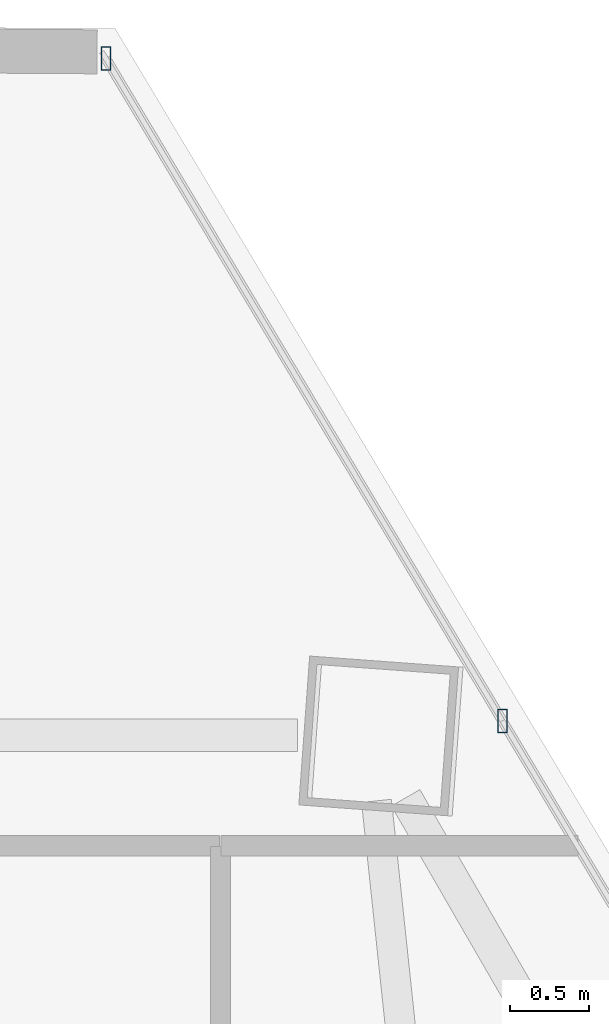
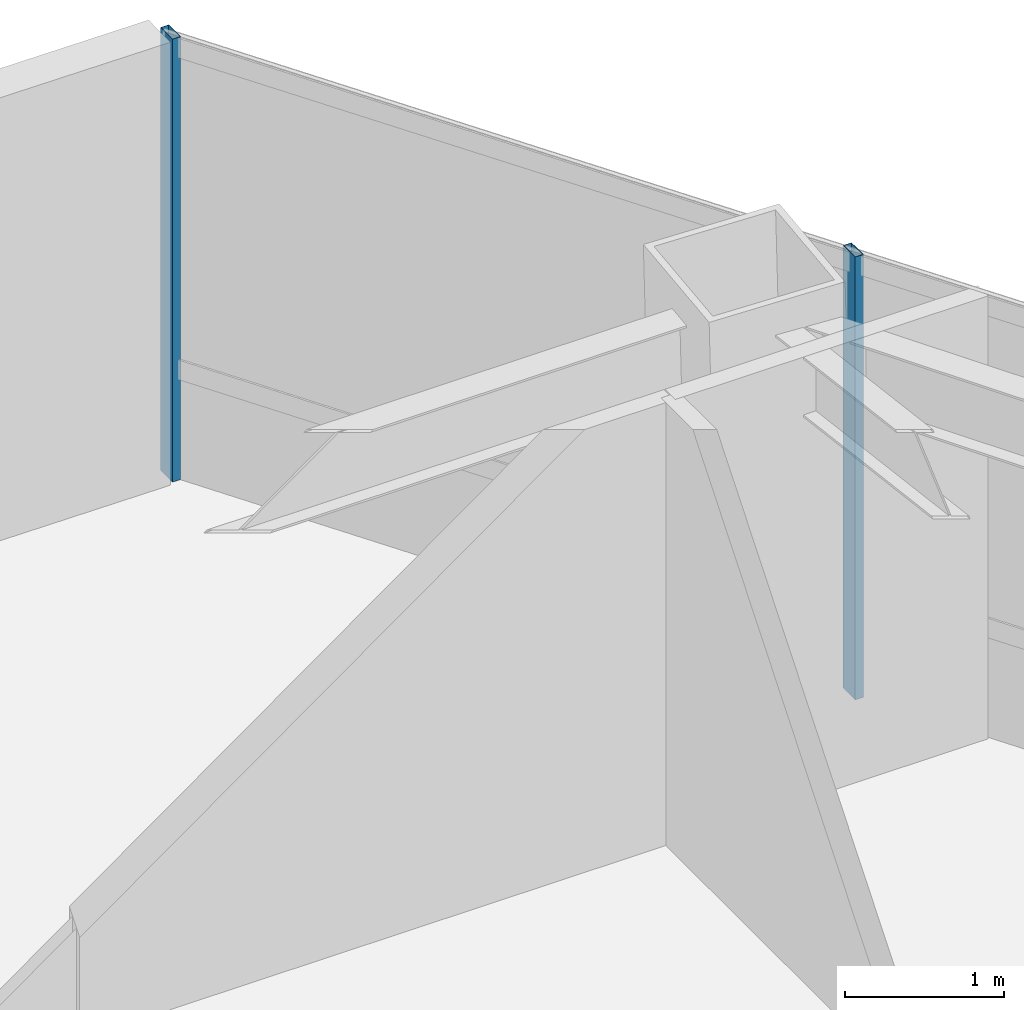
# One storey, part 31 of 41: 2 members, 1 element without a shape of its own.
"""IFC4 building model written with IfcOpenShell, lengths in metres."""

from ifc_helpers import new_model, si_unit, direction, frame, origin, origin_2d, place, context, subcontext, project, spatial, hollow_rectangle, extrude, source, transform, mapped, material, material_profile, profile_set, type_object, type_shapes, element, aggregate, save


model = new_model("IFC4")

# Units and contexts
model_context = context("Model", 3, precision=1e-05, world=origin(), true_north=direction((0.0, 1.0)))
body_context = subcontext(model_context, "Body", "Model", "MODEL_VIEW")
ifc_project = project(units=[si_unit("LENGTHUNIT", "METRE"), si_unit("AREAUNIT", "SQUARE_METRE"), si_unit("VOLUMEUNIT", "CUBIC_METRE"), si_unit("PLANEANGLEUNIT", "RADIAN"), si_unit("MASSUNIT", "GRAM", prefix="KILO")], contexts=[model_context])

# Site, building, storey
site_placement = place(None, origin())
site = spatial("IfcSite", under=ifc_project, at=site_placement, CompositionType="ELEMENT")
building_placement = place(site_placement, origin())
building = spatial("IfcBuilding", under=site, at=building_placement, Name="Caelisora Broadcast Tower", CompositionType="ELEMENT")
storey_placement = place(building_placement, frame((0.0, 0.0, 173.10009765625)))
storey = spatial("IfcBuildingStorey", under=building, at=storey_placement, Name="L45", CompositionType="ELEMENT", Elevation=173.10009765625)

# Curtain wall, members
ifc_material_1 = material(Name="Unitised Aluminium and Low-E Glass Curtain Wall", Category="glass")
curtain_wall_type = type_object("IfcCurtainWallType", Name="CW-Z3", PredefinedType="NOTDEFINED", material=ifc_material_1)
curtain_wall_placement = place(storey_placement, origin())
curtain_wall = element("IfcCurtainWall", 1, at=curtain_wall_placement, inside=storey, type_object=curtain_wall_type, Name="L45 curtain wall CW-Z3", PredefinedType="NOTDEFINED")
ifc_material_2 = material(Name="Aluminium 6063-T6 Anodised Terracotta Bronze", Category="aluminium")
ifc_material_profile = material_profile(ifc_material_2, hollow_rectangle(XDim=0.06005859375, YDim=0.14990234375, WallThickness=0.00341796875, at=origin_2d()), Name="Aluminium 6063-T6 Anodised Terracotta Bronze")
ifc_profile_set = profile_set([ifc_material_profile], Name="Aluminium 6063-T6 Anodised Terracotta Bronze")
member_type = type_object("IfcMemberType", Name="CWM-03", PredefinedType="MULLION", material=ifc_profile_set)
shared_shape = source(origin(), body_context, "Body", "SweptSolid", [
    extrude(hollow_rectangle(XDim=0.06005859375, YDim=0.14990234375, WallThickness=0.00341796875, at=origin_2d()), origin(), (0.0, 0.0, 1.0), 3.39990234375),
])
type_shapes(member_type, [shared_shape])
member_1_placement = place(storey_placement, frame((42.07080078125, 50.841064453125, 0.0), z_axis=(0.0, 0.0, 1.0), x_axis=(1.0, 0.0, 0.0)))
member_1 = element("IfcMember", 2, at=member_1_placement, type_object=member_type, Name="L45-CW-B01 mullion #0", PredefinedType="MULLION", context=body_context, shape_type="MappedRepresentation", body=[
    mapped(shared_shape, transform((0.0, 0.0, 0.0), scale=1.0)),
])
member_2_placement = place(storey_placement, frame((44.59423828125, 46.62646484375, 0.0), z_axis=(0.0, 0.0, 1.0), x_axis=(1.0, 0.0, 0.0)))
member_2 = element("IfcMember", 3, at=member_2_placement, type_object=member_type, Name="L45-CW-B01 mullion #1", PredefinedType="MULLION", context=body_context, shape_type="MappedRepresentation", body=[
    mapped(shared_shape, transform((0.0, 0.0, 0.0), scale=1.0)),
])
aggregate(curtain_wall, [member_1, member_2])

save(model, "model.ifc")
